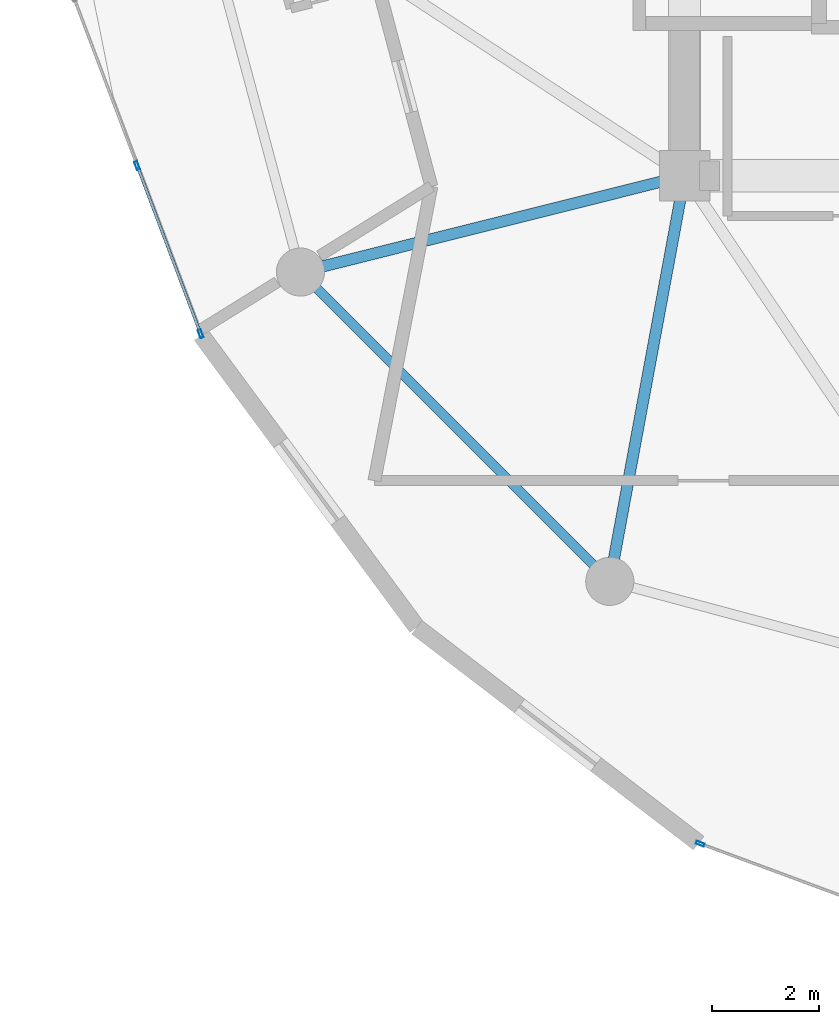
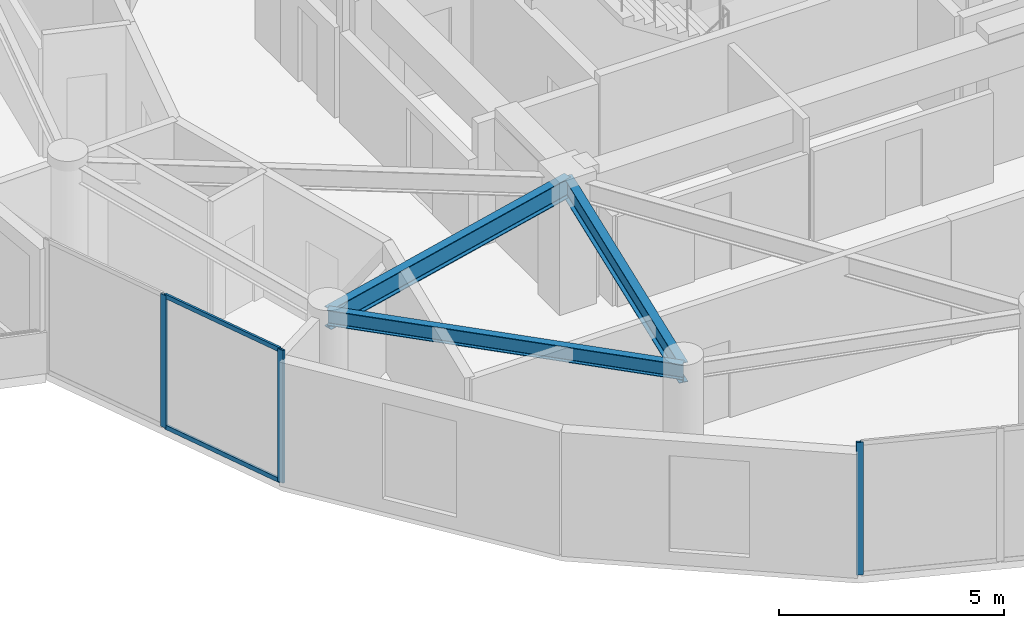
# One storey, part 2 of 20: 5 members, 3 beams, 2 elements without a shape of their own.
"""IFC4 building model written with IfcOpenShell, lengths in metres."""

from ifc_helpers import new_model, si_unit, direction, frame, origin, origin_2d, place, context, subcontext, project, spatial, hollow_rectangle, i_section, extrude, source, transform, mapped, material, layer, layer_set, material_profile, profile_set, type_object, element, aggregate, save


model = new_model("IFC4")

# Units and contexts
model_context = context("Model", 3, precision=1e-05, world=origin(), true_north=direction((0.0, 1.0)))
body_context = subcontext(model_context, "Body", "Model", "MODEL_VIEW")
ifc_project = project(units=[si_unit("LENGTHUNIT", "METRE"), si_unit("AREAUNIT", "SQUARE_METRE"), si_unit("VOLUMEUNIT", "CUBIC_METRE"), si_unit("PLANEANGLEUNIT", "RADIAN"), si_unit("MASSUNIT", "GRAM", prefix="KILO")], contexts=[model_context])

# Site, building, storey
site_placement = place(None, origin())
site = spatial("IfcSite", under=ifc_project, at=site_placement, CompositionType="ELEMENT")
building_placement = place(site_placement, origin())
building = spatial("IfcBuilding", under=site, at=building_placement, Name="Solvirekh Grand Hotel", CompositionType="ELEMENT")
storey_placement = place(building_placement, frame((0.0, 0.0, 194.800048828125)))
storey = spatial("IfcBuildingStorey", under=building, at=storey_placement, Name="L50", CompositionType="ELEMENT", Elevation=194.800048828125)

# Beams
ifc_material_1 = material(Name="Steel S355", Category="steel")
ifc_material_profile_1 = material_profile(ifc_material_1, i_section(OverallWidth=0.2119140625, OverallDepth=0.5439453125, WebThickness=0.011962890625, FlangeThickness=0.01904296875, FilletRadius=0.013916015625, at=origin_2d()), Name="W530X123")
ifc_profile_set_1 = profile_set([ifc_material_profile_1], Name="Steel S355")
beam_type_1 = type_object("IfcBeamType", Name="Beam_Radial_W530H", PredefinedType="BEAM", material=ifc_profile_set_1)
beam_1_placement = place(storey_placement, frame((-6.5, -6.10009765625, 3.087890625), z_axis=(-0.970014367692, -0.243047580675, 0.0), x_axis=(0.243047580675, -0.970014367692, 0.0)))
element("IfcBeam", 1, at=beam_1_placement, inside=storey, type_object=beam_type_1, Name="L50 radial floor beam R08", PredefinedType="BEAM", context=body_context, shape_type="SweptSolid", body=[
    extrude(i_section(OverallWidth=0.2119140625, OverallDepth=0.5439453125, WebThickness=0.011962890625, FlangeThickness=0.01904296875, FilletRadius=0.013916015625, at=origin_2d()), origin(), (0.0, 0.0, 1.0), 7.4052734375),
])
beam_2_placement = place(storey_placement, frame((-6.5, -6.10009765625, 3.087890625), z_axis=(-0.181542769111, -0.983383049978, 0.0), x_axis=(0.983383049978, -0.181542769111, 0.0)))
element("IfcBeam", 2, at=beam_2_placement, inside=storey, type_object=beam_type_1, Name="L50 radial floor beam R09", PredefinedType="BEAM", context=body_context, shape_type="SweptSolid", body=[
    extrude(i_section(OverallWidth=0.2119140625, OverallDepth=0.5439453125, WebThickness=0.011962890625, FlangeThickness=0.01904296875, FilletRadius=0.013916015625, at=origin_2d()), origin(), (0.0, 0.0, 1.0), 7.711181640625),
])
ifc_material_profile_2 = material_profile(ifc_material_1, i_section(OverallWidth=0.180908203125, OverallDepth=0.4169921875, WebThickness=0.010009765625, FlangeThickness=0.01611328125, FilletRadius=0.011962890625, at=origin_2d()), Name="W410X85")
ifc_profile_set_2 = profile_set([ifc_material_profile_2], Name="Steel S355")
beam_type_2 = type_object("IfcBeamType", Name="Spandrel_Ring_W410", PredefinedType="SPANDREL", material=ifc_profile_set_2)
beam_3_placement = place(storey_placement, frame((-13.68310546875, -7.89990234375, 3.15185546875), z_axis=(0.707106781187, -0.707106781187, 0.0), x_axis=(0.707106781187, 0.707106781187, 0.0)))
element("IfcBeam", 3, at=beam_3_placement, inside=storey, type_object=beam_type_2, Name="L50 perimeter spandrel beam 8", PredefinedType="SPANDREL", context=body_context, shape_type="SweptSolid", body=[
    extrude(i_section(OverallWidth=0.180908203125, OverallDepth=0.4169921875, WebThickness=0.010009765625, FlangeThickness=0.01611328125, FilletRadius=0.011962890625, at=origin_2d()), origin(), (0.0, 0.0, 1.0), 8.1787109375),
])

# Curtain wall, members
ifc_material_2 = material(Name="Anodized Bronze Aluminium 6063-T6", Category="aluminium")
ifc_layer = layer(ifc_material_2, 0.159912109375)
ifc_layer_set = layer_set([ifc_layer], Name="Anodized Bronze Aluminium 6063-T6")
curtain_wall_type = type_object("IfcCurtainWallType", Name="CW_Sys4_HighZoneFlushBronzeCW", PredefinedType="NOTDEFINED", material=ifc_layer_set)
curtain_wall_1_placement = place(storey_placement, origin())
curtain_wall_1 = element("IfcCurtainWall", 4, at=curtain_wall_1_placement, inside=storey, type_object=curtain_wall_type, Name="L50 unitised bronze-glass curtain wall CW-L50-C15", PredefinedType="NOTDEFINED")
ifc_material_profile_3 = material_profile(ifc_material_2, hollow_rectangle(XDim=0.06005859375, YDim=0.159912109375, WallThickness=0.0048828125, at=origin_2d()), Name="ALU RHS 160X60X5")
ifc_profile_set_3 = profile_set([ifc_material_profile_3], Name="Anodized Bronze Aluminium 6063-T6")
member_type_1 = type_object("IfcMemberType", Name="CWMullion_Sys4", PredefinedType="MULLION", material=ifc_profile_set_3)
shared_shape_1 = source(origin(), body_context, "Body", "SweptSolid", [
    extrude(hollow_rectangle(XDim=0.06005859375, YDim=0.159912109375, WallThickness=0.0048828125, at=origin_2d()), origin(), (0.0, 0.0, 1.0), 3.599853515625),
])
member_1_placement = place(storey_placement, frame((-16.736083984375, -5.909423828125, 0.0), z_axis=(0.0, 0.0, 1.0), x_axis=(0.935557615208, 0.353174105261, 0.0)))
member_1 = element("IfcMember", 5, at=member_1_placement, type_object=member_type_1, Name="U04 mullion 2", PredefinedType="MULLION", context=body_context, shape_type="MappedRepresentation", body=[
    mapped(shared_shape_1, transform((0.0, 0.0, 0.0), x_axis=(1.0, 0.0, 0.0), y_axis=(0.0, 1.0, 0.0), z_axis=(0.0, 0.0, 1.0), scale=1.0)),
])
member_2_placement = place(storey_placement, frame((-15.548583984375, -9.054931640625, 0.0), z_axis=(0.0, 0.0, 1.0), x_axis=(0.935557615208, 0.353174105261, 0.0)))
member_2 = element("IfcMember", 6, at=member_2_placement, type_object=member_type_1, Name="U04 mullion 3", PredefinedType="MULLION", context=body_context, shape_type="MappedRepresentation", body=[
    mapped(shared_shape_1, transform((0.0, 0.0, 0.0), x_axis=(1.0, 0.0, 0.0), y_axis=(0.0, 1.0, 0.0), z_axis=(0.0, 0.0, 1.0), scale=1.0)),
])

# Curtain wall, member
curtain_wall_2_placement = place(storey_placement, origin())
curtain_wall_2 = element("IfcCurtainWall", 7, at=curtain_wall_2_placement, inside=storey, type_object=curtain_wall_type, Name="L50 unitised bronze-glass curtain wall CW-L50-C18", PredefinedType="NOTDEFINED")
member_3_placement = place(storey_placement, frame((-6.2109375, -18.58740234375, 0.0), z_axis=(0.0, 0.0, 1.0), x_axis=(0.347003374905, 0.937863880211, 0.0)))
member_3 = element("IfcMember", 8, at=member_3_placement, type_object=member_type_1, Name="U04 mullion 1", PredefinedType="MULLION", context=body_context, shape_type="MappedRepresentation", body=[
    mapped(shared_shape_1, transform((0.0, 0.0, 0.0), x_axis=(1.0, 0.0, 0.0), y_axis=(0.0, 1.0, 0.0), z_axis=(0.0, 0.0, 1.0), scale=1.0)),
])
aggregate(curtain_wall_2, [member_3])

# Member
ifc_material_profile_4 = material_profile(ifc_material_2, hollow_rectangle(XDim=0.054931640625, YDim=0.1201171875, WallThickness=0.00390625, at=origin_2d()), Name="ALU RHS 120X55X4")
ifc_profile_set_4 = profile_set([ifc_material_profile_4], Name="Anodized Bronze Aluminium 6063-T6")
member_type_2 = type_object("IfcMemberType", Name="CWTransom_Sys4", PredefinedType="USERDEFINED", material=ifc_profile_set_4)
shared_shape_2 = source(origin(), body_context, "Body", "SweptSolid", [
    extrude(hollow_rectangle(XDim=0.054931640625, YDim=0.1201171875, WallThickness=0.00390625, at=origin_2d()), origin(), (0.0, 0.0, 1.0), 3.30224609375),
])
member_4_placement = place(storey_placement, frame((-16.725341796875, -5.9375, 0.02734375), z_axis=(0.353180579471, -0.93555517116, 0.0), x_axis=(0.93555517116, 0.353180579471, 0.0)))
member_4 = element("IfcMember", 9, at=member_4_placement, type_object=member_type_2, Name="U04 transom 2.1", ObjectType="TRANSOM", PredefinedType="USERDEFINED", context=body_context, shape_type="MappedRepresentation", body=[
    mapped(shared_shape_2, transform((0.0, 0.0, 0.0), x_axis=(1.0, 0.0, 0.0), y_axis=(0.0, 1.0, 0.0), z_axis=(0.0, 0.0, 1.0), scale=1.0)),
])

member_5_placement = place(storey_placement, frame((-16.725341796875, -5.9375, 3.572509765625), z_axis=(0.353180579471, -0.93555517116, 0.0), x_axis=(0.93555517116, 0.353180579471, 0.0)))
member_5 = element("IfcMember", 10, at=member_5_placement, type_object=member_type_2, Name="U04 transom 2.2", ObjectType="TRANSOM", PredefinedType="USERDEFINED", context=body_context, shape_type="MappedRepresentation", body=[
    mapped(shared_shape_2, transform((0.0, 0.0, 0.0), x_axis=(1.0, 0.0, 0.0), y_axis=(0.0, 1.0, 0.0), z_axis=(0.0, 0.0, 1.0), scale=1.0)),
])

aggregate(curtain_wall_1, [member_1, member_2, member_4, member_5])

save(model, "model.ifc")
